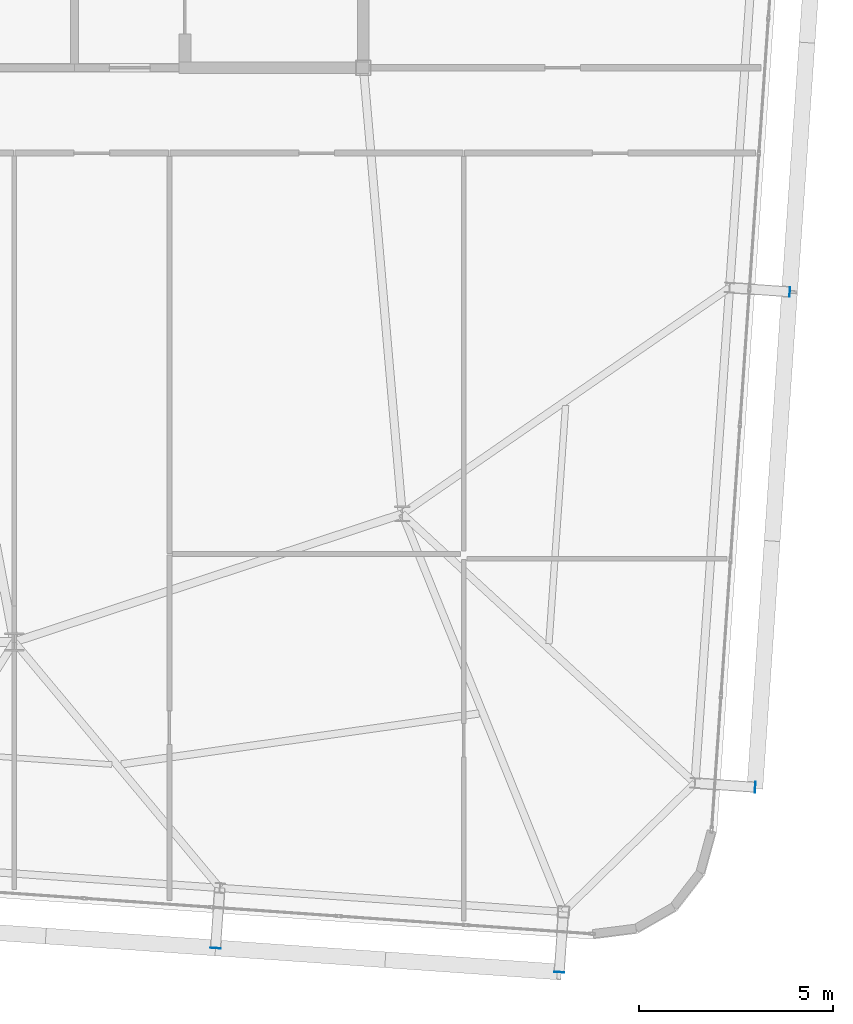
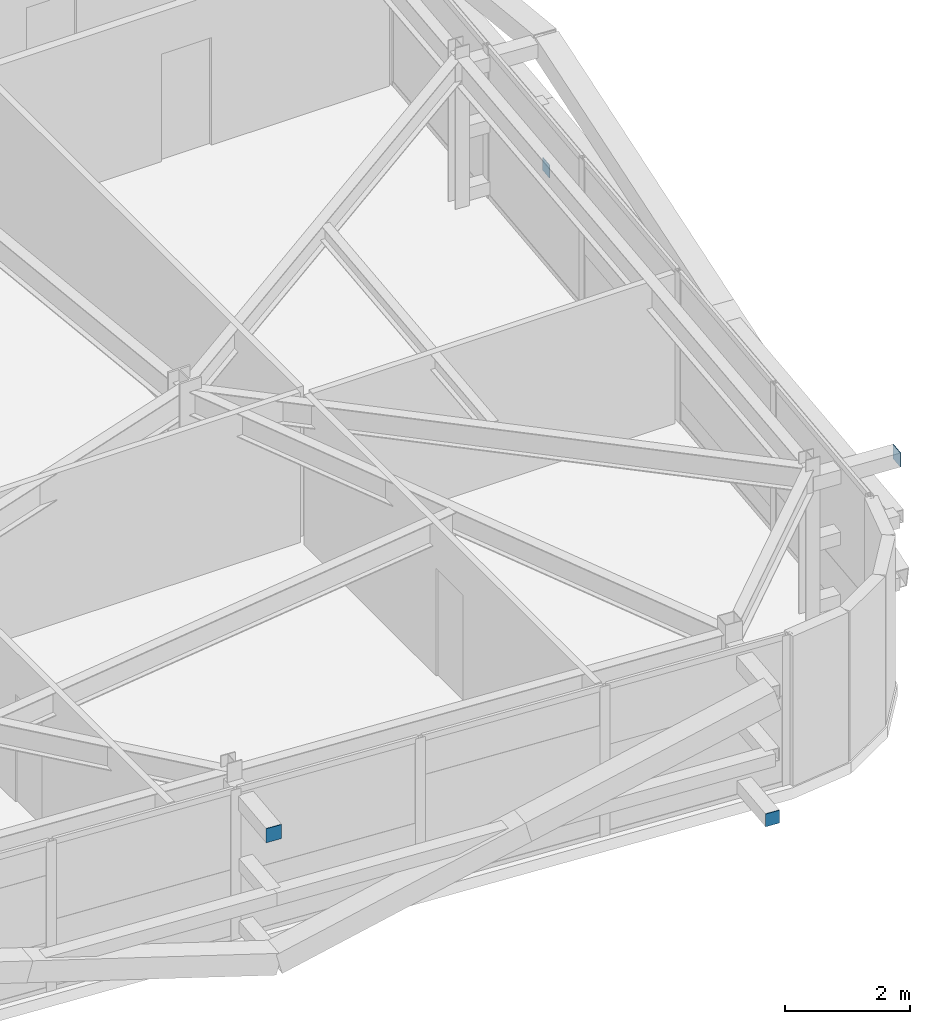
# One storey, part 36 of 47: 4 plates.
"""IFC4 building model written with IfcOpenShell, lengths in metres."""

from ifc_helpers import new_model, si_unit, direction, frame, origin, origin_2d, place, context, subcontext, project, spatial, rectangle, extrude, source, transform, mapped, material, layer, layer_set, type_object, element, save


model = new_model("IFC4")

# Units and contexts
model_context = context("Model", 3, precision=1e-05, world=origin(), true_north=direction((0.0, 1.0)))
body_context = subcontext(model_context, "Body", "Model", "MODEL_VIEW")
ifc_project = project(units=[si_unit("LENGTHUNIT", "METRE"), si_unit("AREAUNIT", "SQUARE_METRE"), si_unit("VOLUMEUNIT", "CUBIC_METRE"), si_unit("PLANEANGLEUNIT", "RADIAN"), si_unit("MASSUNIT", "GRAM", prefix="KILO")], contexts=[model_context])

# Site, building, storey
site_placement = place(None, origin())
site = spatial("IfcSite", under=ifc_project, at=site_placement, CompositionType="ELEMENT")
building_placement = place(site_placement, origin())
building = spatial("IfcBuilding", under=site, at=building_placement, Name="Taldren Reach Tower", CompositionType="ELEMENT")
storey_placement = place(building_placement, frame((0.0, 0.0, 139.300048828125)))
storey = spatial("IfcBuildingStorey", under=building, at=storey_placement, Name="L42", CompositionType="ELEMENT", Elevation=139.300048828125)

# Plates
ifc_material_1 = material(Name="Steel Gr 450 (C450L0)", Category="steel")
ifc_layer_1 = layer(ifc_material_1, 0.011962890625)
ifc_layer_set_1 = layer_set([ifc_layer_1], Name="Steel Gr 450 (C450L0)")
plate_type_1 = type_object("IfcPlateType", Name="PL-CAP-275", PredefinedType="SHEET", material=ifc_layer_set_1)
shared_shape_1 = source(origin(), body_context, "Body", "SweptSolid", [
    extrude(rectangle(XDim=0.27490234375, YDim=0.011962890625, at=origin_2d()), origin(), (0.0, 0.0, 1.0), 0.27490234375),
])
plate_1_placement = place(storey_placement, frame((47.1884765625, 1.308349609375, 2.512451171875), z_axis=(0.0, 0.0, 1.0), x_axis=(0.99756405026, -0.069756473744, 0.0)))
element("IfcPlate", 1, at=plate_1_placement, inside=storey, type_object=plate_type_1, Name="Tie strut end cap plate B3-S5 L42", PredefinedType="SHEET", context=body_context, shape_type="MappedRepresentation", body=[
    mapped(shared_shape_1, transform((0.0, 0.0, 0.0), scale=1.0)),
])
shared_shape_2 = source(origin(), body_context, "Body", "SweptSolid", [
    extrude(rectangle(XDim=0.011962890625, YDim=0.27490234375, at=origin_2d()), origin(), (0.0, 0.0, 1.0), 0.27490234375),
])
plate_2_placement = place(storey_placement, frame((61.09765625, 5.454345703125, 2.512451171875), z_axis=(0.0, 0.0, 1.0), x_axis=(0.99756405026, -0.069756473744, 0.0)))
element("IfcPlate", 2, at=plate_2_placement, inside=storey, type_object=plate_type_1, Name="Tie strut end cap plate B3-E1 L42", PredefinedType="SHEET", context=body_context, shape_type="MappedRepresentation", body=[
    mapped(shared_shape_2, transform((0.0, 0.0, 0.0), scale=1.0)),
])
ifc_material_2 = material(Name="Steel Gr 350 (C350L0)", Category="steel")
ifc_layer_2 = layer(ifc_material_2, 0.011962890625)
ifc_layer_set_2 = layer_set([ifc_layer_2], Name="Steel Gr 350 (C350L0)")
plate_type_2 = type_object("IfcPlateType", Name="PL-CAP-250", PredefinedType="SHEET", material=ifc_layer_set_2)
shared_shape_3 = source(origin(), body_context, "Body", "SweptSolid", [
    extrude(rectangle(XDim=0.25, YDim=0.011962890625, at=origin_2d()), origin(), (0.0, 0.0, 1.0), 0.25),
])
plate_3_placement = place(storey_placement, frame((56.046875, 0.68896484375, 0.094970703125), z_axis=(0.0, 0.0, 1.0), x_axis=(0.99756405026, -0.069756473744, 0.0)))
element("IfcPlate", 3, at=plate_3_placement, inside=storey, type_object=plate_type_2, Name="Tie strut end cap plate B3-S6 L42", PredefinedType="SHEET", context=body_context, shape_type="MappedRepresentation", body=[
    mapped(shared_shape_3, transform((0.0, 0.0, 0.0), scale=1.0)),
])
shared_shape_4 = source(origin(), body_context, "Body", "SweptSolid", [
    extrude(rectangle(XDim=0.011962890625, YDim=0.25, at=origin_2d()), origin(), (0.0, 0.0, 1.0), 0.25),
])
plate_4_placement = place(storey_placement, frame((61.990478515625, 18.22314453125, 0.094970703125), z_axis=(0.0, 0.0, 1.0), x_axis=(0.99756405026, -0.069756473744, 0.0)))
element("IfcPlate", 4, at=plate_4_placement, inside=storey, type_object=plate_type_2, Name="Tie strut end cap plate B3-E2 L42", PredefinedType="SHEET", context=body_context, shape_type="MappedRepresentation", body=[
    mapped(shared_shape_4, transform((0.0, 0.0, 0.0), scale=1.0)),
])

save(model, "model.ifc")
